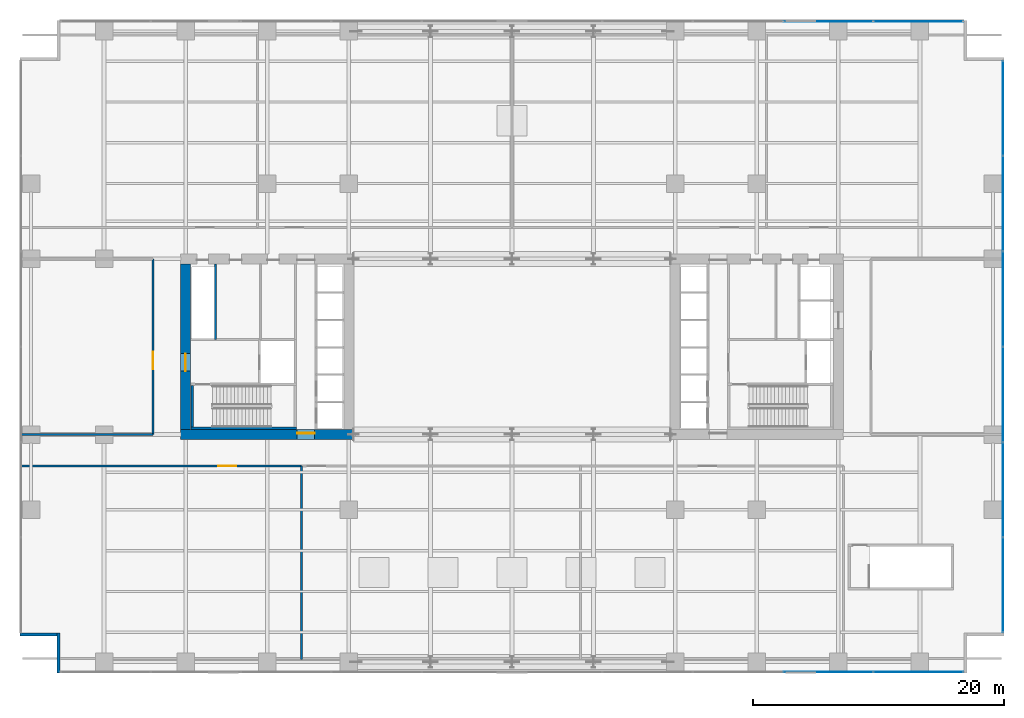
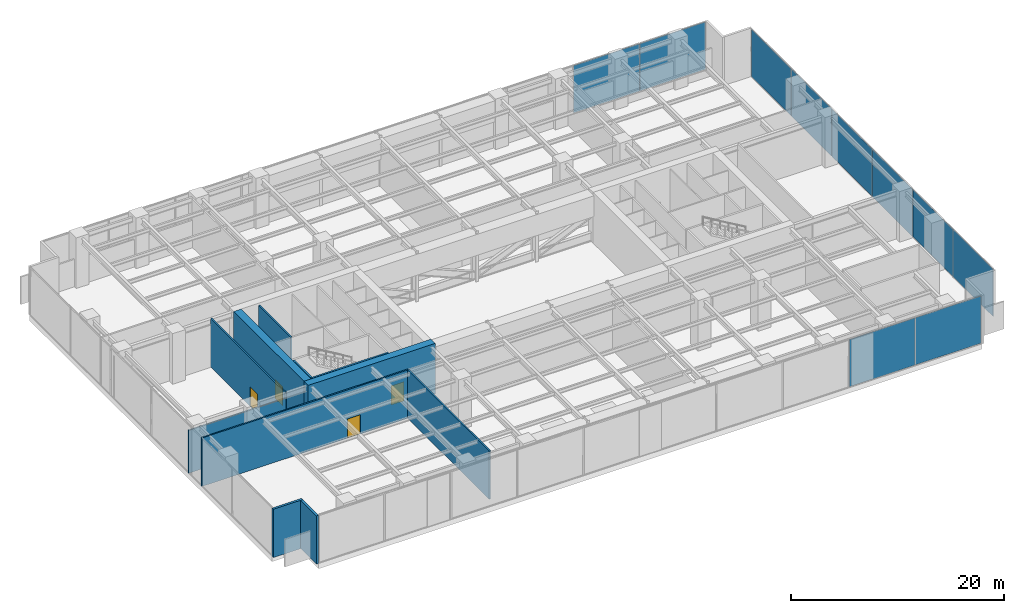
# One storey, part 19 of 25: 11 walls, 10 plates, 4 doors, 4 openings, 3 elements without a shape of their own.
"""IFC4 building model written with IfcOpenShell, lengths in metres."""

from ifc_helpers import new_model, si_unit, direction, frame, frame_2d, origin, origin_2d, place, context, subcontext, project, spatial, rectangle, extrude, material, layer, layer_set, type_object, element, fill, aggregate, save


model = new_model("IFC4")

# Units and contexts
model_context = context("Model", 3, precision=1e-05, world=origin(), true_north=direction((0.0, 1.0)))
body_context = subcontext(model_context, "Body", "Model", "MODEL_VIEW")
ifc_project = project(units=[si_unit("LENGTHUNIT", "METRE"), si_unit("AREAUNIT", "SQUARE_METRE"), si_unit("VOLUMEUNIT", "CUBIC_METRE"), si_unit("PLANEANGLEUNIT", "RADIAN"), si_unit("MASSUNIT", "GRAM", prefix="KILO")], contexts=[model_context])

# Site, building, storey
site_placement = place(None, origin())
site = spatial("IfcSite", under=ifc_project, at=site_placement, CompositionType="ELEMENT")
building_placement = place(site_placement, origin())
building = spatial("IfcBuilding", under=site, at=building_placement, Name="Putna Gate Headquarters", CompositionType="ELEMENT")
storey_placement = place(building_placement, frame((0.0, 0.0, 22.0)))
storey = spatial("IfcBuildingStorey", under=building, at=storey_placement, Name="L04", CompositionType="ELEMENT", Elevation=22.0)

# Curtain wall, plates
ifc_material_1 = material(Name="Anodised bronze aluminium curtain wall", Category="aluminium")
ifc_layer_1 = layer(ifc_material_1, 0.159912109375)
ifc_layer_set_1 = layer_set([ifc_layer_1], Name="Anodised bronze aluminium curtain wall")
curtain_wall_type = type_object("IfcCurtainWallType", Name="CW-SYS-CRN", PredefinedType="USERDEFINED", material=ifc_layer_set_1)
curtain_wall_1_placement = place(storey_placement, origin())
curtain_wall_1 = element("IfcCurtainWall", 1, at=curtain_wall_1_placement, inside=storey, type_object=curtain_wall_type, Name="L04 Acoustic Louvre South Enclosure", ObjectType="STICK CURTAIN WALL", PredefinedType="USERDEFINED")
ifc_material_2 = material(Name="Anodised bronze acoustic louvre panel", Category="aluminium")
ifc_layer_2 = layer(ifc_material_2, 0.044921875)
ifc_layer_set_2 = layer_set([ifc_layer_2], Name="Anodised bronze acoustic louvre panel")
plate_type = type_object("IfcPlateType", Name="PAN-CWP-CR", PredefinedType="CURTAIN_PANEL", material=ifc_layer_set_2)
plate_1_placement = place(storey_placement, frame((64.199951171875, 0.080078125, 0.06494140625), z_axis=(0.0, 0.0, 1.0), x_axis=(1.0, 0.0, 0.0)))
plate_1 = element("IfcPlate", 2, at=plate_1_placement, type_object=plate_type, Name="CWS-CR panel 9.1", PredefinedType="CURTAIN_PANEL", context=body_context, shape_type="SweptSolid", body=[
    extrude(rectangle(XDim=7.135009765625, YDim=0.044921875, at=origin_2d()), origin(), (0.0, 0.0, 1.0), 5.419921875),
])
plate_2_placement = place(storey_placement, frame((71.3837890625, 0.080078125, 0.06494140625), z_axis=(0.0, 0.0, 1.0), x_axis=(1.0, 0.0, 0.0)))
plate_2 = element("IfcPlate", 3, at=plate_2_placement, type_object=plate_type, Name="CWS-CR panel 10.1", PredefinedType="CURTAIN_PANEL", context=body_context, shape_type="SweptSolid", body=[
    extrude(rectangle(XDim=7.1025390625, YDim=0.044921875, at=origin_2d()), origin(), (0.0, 0.0, 1.0), 5.419921875),
])
aggregate(curtain_wall_1, [plate_1, plate_2])

curtain_wall_2_placement = place(storey_placement, origin())
curtain_wall_2 = element("IfcCurtainWall", 4, at=curtain_wall_2_placement, inside=storey, type_object=curtain_wall_type, Name="L04 Acoustic Louvre North Enclosure", ObjectType="STICK CURTAIN WALL", PredefinedType="USERDEFINED")
plate_3_placement = place(storey_placement, frame((64.199951171875, 51.919921875, 0.06494140625), z_axis=(0.0, 0.0, 1.0), x_axis=(1.0, 0.0, 0.0)))
plate_3 = element("IfcPlate", 5, at=plate_3_placement, type_object=plate_type, Name="CWS-CR panel 9.1", PredefinedType="CURTAIN_PANEL", context=body_context, shape_type="SweptSolid", body=[
    extrude(rectangle(XDim=7.135009765625, YDim=0.044921875, at=origin_2d()), origin(), (0.0, 0.0, 1.0), 5.419921875),
])
plate_4_placement = place(storey_placement, frame((71.3837890625, 51.919921875, 0.06494140625), z_axis=(0.0, 0.0, 1.0), x_axis=(1.0, 0.0, 0.0)))
plate_4 = element("IfcPlate", 6, at=plate_4_placement, type_object=plate_type, Name="CWS-CR panel 10.1", PredefinedType="CURTAIN_PANEL", context=body_context, shape_type="SweptSolid", body=[
    extrude(rectangle(XDim=7.1025390625, YDim=0.044921875, at=origin_2d()), origin(), (0.0, 0.0, 1.0), 5.419921875),
])
aggregate(curtain_wall_2, [plate_3, plate_4])

curtain_wall_3_placement = place(storey_placement, origin())
curtain_wall_3 = element("IfcCurtainWall", 7, at=curtain_wall_3_placement, inside=storey, type_object=curtain_wall_type, Name="L04 Acoustic Louvre East Enclosure", ObjectType="STICK CURTAIN WALL", PredefinedType="USERDEFINED")
plate_5_placement = place(storey_placement, frame((78.1201171875, 7.016357421875, 0.06494140625), z_axis=(0.0, 0.0, 1.0), x_axis=(0.0, 1.0, 0.0)))
plate_5 = element("IfcPlate", 8, at=plate_5_placement, type_object=plate_type, Name="CWS-CR panel 1.1", PredefinedType="CURTAIN_PANEL", context=body_context, shape_type="SweptSolid", body=[
    extrude(rectangle(XDim=7.50244140625, YDim=0.044921875, at=origin_2d()), origin(), (0.0, 0.0, 1.0), 5.419921875),
])
plate_6_placement = place(storey_placement, frame((78.1201171875, 14.60009765625, 0.06494140625), z_axis=(0.0, 0.0, 1.0), x_axis=(0.0, 1.0, 0.0)))
plate_6 = element("IfcPlate", 9, at=plate_6_placement, type_object=plate_type, Name="CWS-CR panel 2.1", PredefinedType="CURTAIN_PANEL", context=body_context, shape_type="SweptSolid", body=[
    extrude(rectangle(XDim=7.534912109375, YDim=0.044921875, at=origin_2d()), origin(), (0.0, 0.0, 1.0), 5.419921875),
])
plate_7_placement = place(storey_placement, frame((78.1201171875, 22.199951171875, 0.06494140625), z_axis=(0.0, 0.0, 1.0), x_axis=(0.0, 1.0, 0.0)))
plate_7 = element("IfcPlate", 10, at=plate_7_placement, type_object=plate_type, Name="CWS-CR panel 3.1", PredefinedType="CURTAIN_PANEL", context=body_context, shape_type="SweptSolid", body=[
    extrude(rectangle(XDim=7.534912109375, YDim=0.044921875, at=origin_2d()), origin(), (0.0, 0.0, 1.0), 5.419921875),
])
plate_8_placement = place(storey_placement, frame((78.1201171875, 29.800048828125, 0.06494140625), z_axis=(0.0, 0.0, 1.0), x_axis=(0.0, 1.0, 0.0)))
plate_8 = element("IfcPlate", 11, at=plate_8_placement, type_object=plate_type, Name="CWS-CR panel 4.1", PredefinedType="CURTAIN_PANEL", context=body_context, shape_type="SweptSolid", body=[
    extrude(rectangle(XDim=7.534912109375, YDim=0.044921875, at=origin_2d()), origin(), (0.0, 0.0, 1.0), 5.419921875),
])
plate_9_placement = place(storey_placement, frame((78.1201171875, 37.39990234375, 0.06494140625), z_axis=(0.0, 0.0, 1.0), x_axis=(0.0, 1.0, 0.0)))
plate_9 = element("IfcPlate", 12, at=plate_9_placement, type_object=plate_type, Name="CWS-CR panel 5.1", PredefinedType="CURTAIN_PANEL", context=body_context, shape_type="SweptSolid", body=[
    extrude(rectangle(XDim=7.534912109375, YDim=0.044921875, at=origin_2d()), origin(), (0.0, 0.0, 1.0), 5.419921875),
])
plate_10_placement = place(storey_placement, frame((78.1201171875, 44.983642578125, 0.06494140625), z_axis=(0.0, 0.0, 1.0), x_axis=(0.0, 1.0, 0.0)))
plate_10 = element("IfcPlate", 13, at=plate_10_placement, type_object=plate_type, Name="CWS-CR panel 6.1", PredefinedType="CURTAIN_PANEL", context=body_context, shape_type="SweptSolid", body=[
    extrude(rectangle(XDim=7.50244140625, YDim=0.044921875, at=origin_2d()), origin(), (0.0, 0.0, 1.0), 5.419921875),
])
aggregate(curtain_wall_3, [plate_5, plate_6, plate_7, plate_8, plate_9, plate_10])

# Wall, opening, door
ifc_material_3 = material(Name="Concrete C60/75", Category="concrete")
ifc_layer_3 = layer(ifc_material_3, 0.800048828125)
ifc_layer_set_3 = layer_set([ifc_layer_3], Name="Concrete C60/75")
wall_type_1 = type_object("IfcWallType", Name="WALL-CORE-800", PredefinedType="SHEAR", material=ifc_layer_set_3)
wall_1_placement = place(storey_placement, frame((12.60009765625, 19.0, 0.0), z_axis=(0.0, 0.0, 1.0), x_axis=(1.0, 0.0, 0.0)))
wall_1 = element("IfcWall", 14, at=wall_1_placement, inside=storey, type_object=wall_type_1, Name="L04 WC Split Core Shear Wall S", PredefinedType="SHEAR", context=body_context, shape_type="SweptSolid", body=[
    extrude(rectangle(XDim=13.7998046875, YDim=0.800048828125, at=frame_2d((6.89990234375, 0.0))), origin(), (0.0, 0.0, 1.0), 5.800048828125),
])
opening_1_placement = place(wall_1_placement, frame((9.280029296875, 0.0, 0.0)))
opening_1 = element("IfcOpeningElement", 15, at=opening_1_placement, cuts=wall_1, Name="Opening FDD-140", PredefinedType="OPENING", context=body_context, shape_type="SweptSolid", body=[
    extrude(rectangle(XDim=1.39990234375, YDim=2.199951171875, at=frame_2d((0.699951171875, 1.10009765625))), frame((0.0, 0.409912109375, 0.0), z_axis=(0.0, -1.0, 0.0), x_axis=(1.0, 0.0, 0.0)), (0.0, 0.0, 1.0), 0.820068359375),
])
ifc_material_4 = material(Name="Double steel fire door", Category="steel")
door_type = type_object("IfcDoorType", Name="DOOR-FIRE-DBL-1400", OperationType="DOUBLE_DOOR_SINGLE_SWING", PredefinedType="DOOR", material=ifc_material_4)
door_1_placement = place(opening_1_placement, origin())
door_1 = element("IfcDoor", 16, at=door_1_placement, inside=storey, type_object=door_type, Name="L04 West Lift Lobby South Door", OperationType="DOUBLE_DOOR_SINGLE_SWING", OverallHeight=2.199951171875, OverallWidth=1.39990234375, PredefinedType="DOOR", context=body_context, shape_type="SweptSolid", body=[
    extrude(rectangle(XDim=1.39990234375, YDim=2.199951171875, at=frame_2d((0.699951171875, 1.10009765625))), frame((0.0, 0.125, 0.0), z_axis=(0.0, -1.0, 0.0), x_axis=(1.0, 0.0, 0.0)), (0.0, 0.0, 1.0), 0.050048828125),
])
fill(opening_1, door_1)

wall_2_placement = place(storey_placement, frame((13.0, 19.39990234375, 0.0), z_axis=(0.0, 0.0, 1.0), x_axis=(0.0, 1.0, 0.0)))
wall_2 = element("IfcWall", 17, at=wall_2_placement, inside=storey, type_object=wall_type_1, Name="L04 WC Split Core Shear Wall W", PredefinedType="SHEAR", context=body_context, shape_type="SweptSolid", body=[
    extrude(rectangle(XDim=13.2001953125, YDim=0.800048828125, at=frame_2d((6.60009765625, 0.0))), origin(), (0.0, 0.0, 1.0), 5.800048828125),
])
opening_2_placement = place(wall_2_placement, frame((4.64990234375, 0.0, 0.0)))
opening_2 = element("IfcOpeningElement", 18, at=opening_2_placement, cuts=wall_2, Name="Opening FDD-140", PredefinedType="OPENING", context=body_context, shape_type="SweptSolid", body=[
    extrude(rectangle(XDim=1.39990234375, YDim=2.199951171875, at=frame_2d((0.699951171875, 1.10009765625))), frame((0.0, 0.409912109375, 0.0), z_axis=(0.0, -1.0, 0.0), x_axis=(1.0, 0.0, 0.0)), (0.0, 0.0, 1.0), 0.820068359375),
])
door_2_placement = place(opening_2_placement, origin())
door_2 = element("IfcDoor", 19, at=door_2_placement, inside=storey, type_object=door_type, Name="L04 West Firefighting Lobby Door", OperationType="DOUBLE_DOOR_SINGLE_SWING", OverallHeight=2.199951171875, OverallWidth=1.39990234375, PredefinedType="DOOR", context=body_context, shape_type="SweptSolid", body=[
    extrude(rectangle(XDim=1.39990234375, YDim=2.199951171875, at=frame_2d((0.699951171875, 1.10009765625))), frame((0.0, 0.02490234375, 0.0), z_axis=(0.0, -1.0, 0.0), x_axis=(1.0, 0.0, 0.0)), (0.0, 0.0, 1.0), 0.050048828125),
])
fill(opening_2, door_2)

# Walls
ifc_material_5 = material(Name="Precast concrete C40/50", Category="concrete")
ifc_layer_4 = layer(ifc_material_5, 0.239990234375)
ifc_layer_set_4 = layer_set([ifc_layer_4], Name="Precast concrete C40/50")
wall_type_2 = type_object("IfcWallType", Name="WALL-EXT-TERR-240", PredefinedType="STANDARD", material=ifc_layer_set_4)
for number, where, z_axis, x_axis, name in (
    (20, (2.8798828125, 0.0, 0.0), (0.0, 0.0, 1.0), (0.0, 1.0, 0.0), "L04 Corner Notch Return Wall SW-V"),
    (21, (3.0, 3.080078125, 0.0), (0.0, 0.0, 1.0), (-1.0, 0.0, 0.0), "L04 Corner Notch Return Wall SW-H"),
):
    element("IfcWall", number, at=place(storey_placement, frame(where, z_axis=z_axis, x_axis=x_axis)), inside=storey, type_object=wall_type_2, Name=name, PredefinedType="STANDARD", context=body_context, shape_type="SweptSolid", body=[
        extrude(rectangle(XDim=3.199951171875, YDim=0.239990234375, at=frame_2d((1.60009765625, 0.0))), origin(), (0.0, 0.0, 1.0), 5.550048828125),
    ])
ifc_material_6 = material(Name="Concrete C40/50", Category="concrete")
ifc_layer_5 = layer(ifc_material_6, 0.159912109375)
ifc_layer_set_5 = layer_set([ifc_layer_5], Name="Concrete C40/50")
wall_type_3 = type_object("IfcWallType", Name="WALL-SHAFT-160", PredefinedType="STANDARD", material=ifc_layer_set_5)
wall_3_placement = place(storey_placement, frame((15.3798828125, 26.56005859375, 0.0), z_axis=(0.0, 0.0, 1.0), x_axis=(0.0, 1.0, 0.0)))
element("IfcWall", 22, at=wall_3_placement, inside=storey, type_object=wall_type_3, Name="L04 Interior Wall CWINT-L04-WC-RISER-E", PredefinedType="STANDARD", context=body_context, shape_type="SweptSolid", body=[
    extrude(rectangle(XDim=6.0400390625, YDim=0.159912109375, at=frame_2d((3.02001953125, 0.0))), origin(), (0.0, 0.0, 1.0), 5.550048828125),
])

# Wall, opening, door
wall_4_placement = place(storey_placement, frame((10.39990234375, 19.0, 0.0), z_axis=(0.0, 0.0, 1.0), x_axis=(0.0, 1.0, 0.0)))
wall_4 = element("IfcWall", 23, at=wall_4_placement, inside=storey, type_object=wall_type_3, Name="L04 Interior Wall PART-L04-REFW", PredefinedType="STANDARD", context=body_context, shape_type="SweptSolid", body=[
    extrude(rectangle(XDim=14.0, YDim=0.159912109375, at=frame_2d((7.0, 0.0))), origin(), (0.0, 0.0, 1.0), 5.550048828125),
])
opening_3_placement = place(wall_4_placement, frame((5.199951171875, 0.0, 0.0)))
opening_3 = element("IfcOpeningElement", 24, at=opening_3_placement, cuts=wall_4, Name="Opening FDD-140", PredefinedType="OPENING", context=body_context, shape_type="SweptSolid", body=[
    extrude(rectangle(XDim=1.39990234375, YDim=2.199951171875, at=frame_2d((0.699951171875, 1.10009765625))), frame((0.0, 0.08984375, 0.0), z_axis=(0.0, -1.0, 0.0), x_axis=(1.0, 0.0, 0.0)), (0.0, 0.0, 1.0), 0.179931640625),
])
door_3_placement = place(opening_3_placement, origin())
door_3 = element("IfcDoor", 25, at=door_3_placement, inside=storey, type_object=door_type, Name="L04 West Refuge Area Door", OperationType="DOUBLE_DOOR_SINGLE_SWING", OverallHeight=2.199951171875, OverallWidth=1.39990234375, PredefinedType="DOOR", context=body_context, shape_type="SweptSolid", body=[
    extrude(rectangle(XDim=1.39990234375, YDim=2.199951171875, at=frame_2d((0.699951171875, 1.10009765625))), frame((0.0, 0.02490234375, 0.0), z_axis=(0.0, -1.0, 0.0), x_axis=(1.0, 0.0, 0.0)), (0.0, 0.0, 1.0), 0.050048828125),
])
fill(opening_3, door_3)

# Walls
wall_5_placement = place(storey_placement, frame((-0.179931640625, 19.0, 0.0), z_axis=(0.0, 0.0, 1.0), x_axis=(1.0, 0.0, 0.0)))
element("IfcWall", 26, at=wall_5_placement, inside=storey, type_object=wall_type_3, Name="L04 Interior Wall PART-L04-REFW-S", PredefinedType="STANDARD", context=body_context, shape_type="SweptSolid", body=[
    extrude(rectangle(XDim=10.579833984375, YDim=0.159912109375, at=frame_2d((5.2900390625, 0.0))), origin(), (0.0, 0.0, 1.0), 4.89990234375),
])
wall_6_placement = place(storey_placement, frame((22.222900390625, 1.090087890625, 0.0), z_axis=(0.0, 0.0, 1.0), x_axis=(0.0, 1.0, 0.0)))
element("IfcWall", 27, at=wall_6_placement, inside=storey, type_object=wall_type_3, Name="L04 Interior Wall PART-L04-PS-DIV1", PredefinedType="STANDARD", context=body_context, shape_type="SweptSolid", body=[
    extrude(rectangle(XDim=15.409912109375, YDim=0.159912109375, at=frame_2d((7.705078125, 0.0))), origin(), (0.0, 0.0, 1.0), 5.550048828125),
])

# Wall, opening, door
wall_7_placement = place(storey_placement, frame((-0.179931640625, 16.5, 0.0), z_axis=(0.0, 0.0, 1.0), x_axis=(1.0, 0.0, 0.0)))
wall_7 = element("IfcWall", 28, at=wall_7_placement, inside=storey, type_object=wall_type_3, Name="L04 Interior Wall PART-L04-PS-CW1", PredefinedType="STANDARD", context=body_context, shape_type="SweptSolid", body=[
    extrude(rectangle(XDim=22.40283203125, YDim=0.159912109375, at=frame_2d((11.201416015625, 0.0))), origin(), (0.0, 0.0, 1.0), 5.550048828125),
])
opening_4_placement = place(wall_7_placement, frame((15.79150390625, 0.0, 0.0)))
opening_4 = element("IfcOpeningElement", 29, at=opening_4_placement, cuts=wall_7, Name="Opening FDD-140", PredefinedType="OPENING", context=body_context, shape_type="SweptSolid", body=[
    extrude(rectangle(XDim=1.39990234375, YDim=2.199951171875, at=frame_2d((0.699951171875, 1.10009765625))), frame((0.0, 0.08984375, 0.0), z_axis=(0.0, -1.0, 0.0), x_axis=(1.0, 0.0, 0.0)), (0.0, 0.0, 1.0), 0.179931640625),
])
door_4_placement = place(opening_4_placement, origin())
door_4 = element("IfcDoor", 30, at=door_4_placement, inside=storey, type_object=door_type, Name="L04 Domestic and Fire Water Booster Pump Room Door", OperationType="DOUBLE_DOOR_SINGLE_SWING", OverallHeight=2.199951171875, OverallWidth=1.39990234375, PredefinedType="DOOR", context=body_context, shape_type="SweptSolid", body=[
    extrude(rectangle(XDim=1.39990234375, YDim=2.199951171875, at=frame_2d((0.699951171875, 1.10009765625))), frame((0.0, 0.02490234375, 0.0), z_axis=(0.0, -1.0, 0.0), x_axis=(1.0, 0.0, 0.0)), (0.0, 0.0, 1.0), 0.050048828125),
])
fill(opening_4, door_4)

# Walls
ifc_layer_6 = layer(ifc_material_6, 0.199951171875)
ifc_layer_set_6 = layer_set([ifc_layer_6], Name="Concrete C40/50")
wall_type_4 = type_object("IfcWallType", Name="WALL-SHAFT-RC200", PredefinedType="SHEAR", material=ifc_layer_set_6)
wall_8_placement = place(storey_placement, frame((13.409912109375, 19.510009765625, 0.0), z_axis=(0.0, 0.0, 1.0), x_axis=(1.0, 0.0, 0.0)))
element("IfcWall", 31, at=wall_8_placement, inside=storey, type_object=wall_type_4, Name="L04 Stair ST1 Structural Shaft Wall S", PredefinedType="SHEAR", context=body_context, shape_type="SweptSolid", body=[
    extrude(rectangle(XDim=8.43017578125, YDim=0.199951171875, at=frame_2d((4.215087890625, 0.0))), origin(), (0.0, 0.0, 1.0), 5.800048828125),
])
wall_9_placement = place(storey_placement, frame((13.510009765625, 19.610107421875, 0.0), z_axis=(0.0, 0.0, 1.0), x_axis=(0.0, 1.0, 0.0)))
element("IfcWall", 32, at=wall_9_placement, inside=storey, type_object=wall_type_4, Name="L04 Stair ST1 Structural Shaft Wall W", PredefinedType="SHEAR", context=body_context, shape_type="SweptSolid", body=[
    extrude(rectangle(XDim=3.27978515625, YDim=0.199951171875, at=frame_2d((1.639892578125, 0.0))), origin(), (0.0, 0.0, 1.0), 5.800048828125),
])

save(model, "model.ifc")
